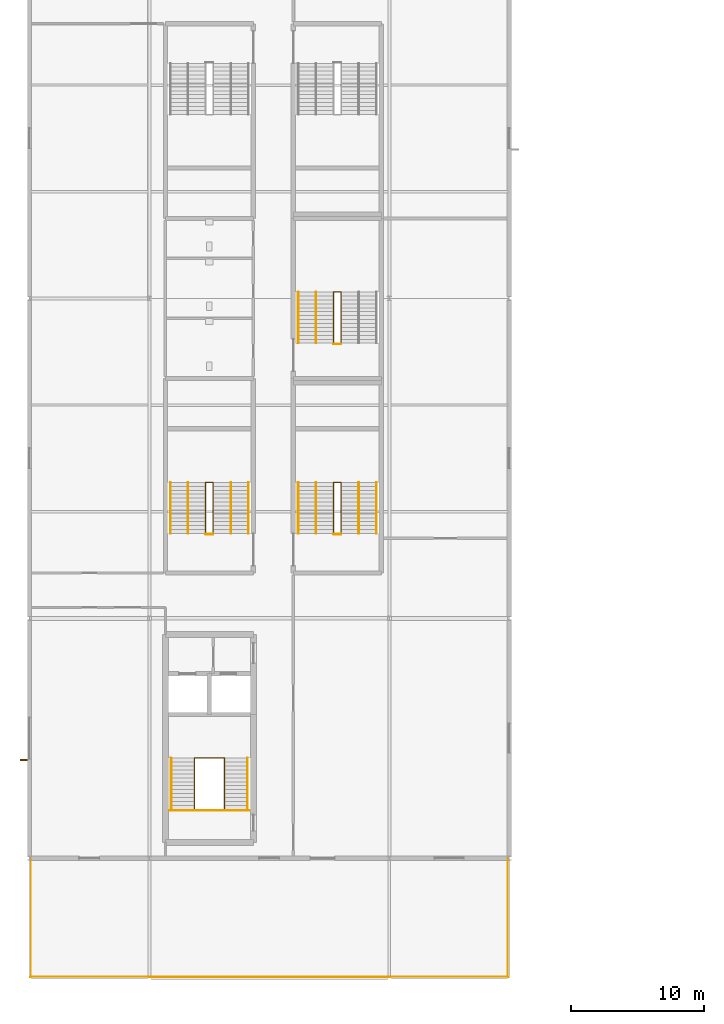
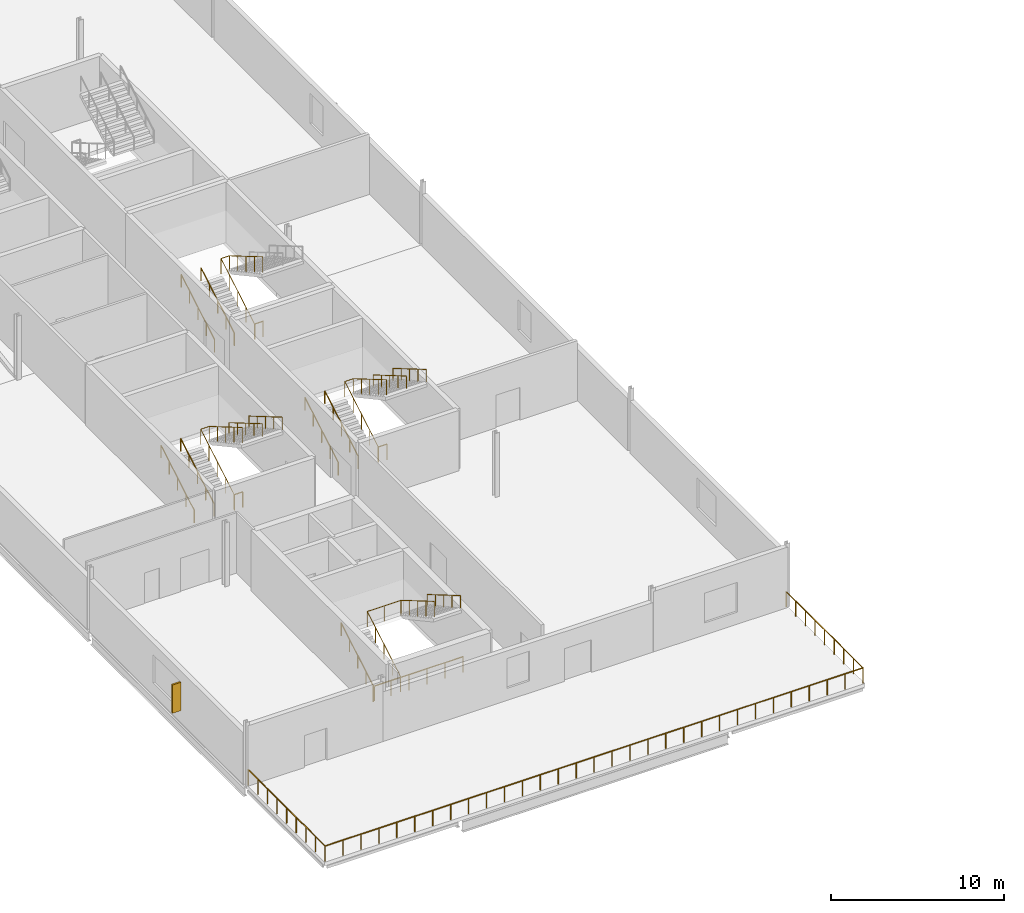
# One storey, part 23 of 28: 21 railings, 1 shading device.
"""IFC4 building model written with IfcOpenShell, lengths in metres."""

from ifc_helpers import new_model, si_unit, direction, frame, origin, origin_2d, place, context, subcontext, project, spatial, rectangle, circle, extrude, material, type_object, element, save


model = new_model("IFC4")

# Units and contexts
model_context = context("Model", 3, precision=1e-05, world=origin(), true_north=direction((0.0, 1.0)))
body_context = subcontext(model_context, "Body", "Model", "MODEL_VIEW")
ifc_project = project(units=[si_unit("LENGTHUNIT", "METRE"), si_unit("AREAUNIT", "SQUARE_METRE"), si_unit("VOLUMEUNIT", "CUBIC_METRE"), si_unit("PLANEANGLEUNIT", "RADIAN"), si_unit("MASSUNIT", "GRAM", prefix="KILO")], contexts=[model_context])

# Site, building, storey
site_placement = place(None, origin())
site = spatial("IfcSite", under=ifc_project, at=site_placement, CompositionType="ELEMENT")
building_placement = place(site_placement, origin())
building = spatial("IfcBuilding", under=site, at=building_placement, Name="Kisiwana Market Hall", CompositionType="ELEMENT")
storey_placement = place(building_placement, frame((0.0, 0.0, 49.5)))
storey = spatial("IfcBuildingStorey", under=building, at=storey_placement, Name="L11", CompositionType="ELEMENT", Elevation=49.5)

# Railings
ifc_material_1 = material(Name="Steel S275", Category="steel")
railing_type_1 = type_object("IfcRailingType", Name="RL-BALUST-1100", PredefinedType="BALUSTRADE", material=ifc_material_1)
railing_1_placement = place(storey_placement, frame((0.080078125, 17.949951171875, 0.0)))
element("IfcRailing", 1, at=railing_1_placement, inside=storey, type_object=railing_type_1, Name="L11 SW Sky Garden Guardrail 1100 RL-1702", PredefinedType="BALUSTRADE", context=body_context, shape_type="SweptSolid", body=[
    extrude(circle(Radius=0.02392578125, at=origin_2d()), frame((0.0, 0.0, 1.076171875), z_axis=(0.0, -1.0, 0.0), x_axis=(1.0, 0.0, 0.0)), (0.0, 0.0, 1.0), 8.869873046875),
    extrude(circle(Radius=0.02392578125, at=origin_2d()), frame((0.0, -8.869873046875, 1.076171875), z_axis=(1.0, 0.0, 0.0), x_axis=(0.0, 1.0, 0.0)), (0.0, 0.0, 1.0), 35.83984375),
    extrude(circle(Radius=0.02392578125, at=origin_2d()), frame((35.83984375, -8.869873046875, 1.076171875), z_axis=(0.0, 1.0, 0.0), x_axis=(-1.0, 0.0, 0.0)), (0.0, 0.0, 1.0), 8.869873046875),
    extrude(circle(Radius=0.02099609375, at=origin_2d()), origin(), (0.0, 0.0, 1.0), 1.052001953125),
    extrude(circle(Radius=0.02099609375, at=origin_2d()), frame((0.0, -1.108642578125, 0.0)), (0.0, 0.0, 1.0), 1.052001953125),
    extrude(circle(Radius=0.02099609375, at=origin_2d()), frame((0.0, -2.217529296875, 0.0)), (0.0, 0.0, 1.0), 1.052001953125),
    extrude(circle(Radius=0.02099609375, at=origin_2d()), frame((0.0, -3.326171875, 0.0)), (0.0, 0.0, 1.0), 1.052001953125),
    extrude(circle(Radius=0.02099609375, at=origin_2d()), frame((0.0, -4.43505859375, 0.0)), (0.0, 0.0, 1.0), 1.052001953125),
    extrude(circle(Radius=0.02099609375, at=origin_2d()), frame((0.0, -5.543701171875, 0.0)), (0.0, 0.0, 1.0), 1.052001953125),
    extrude(circle(Radius=0.02099609375, at=origin_2d()), frame((0.0, -6.65234375, 0.0)), (0.0, 0.0, 1.0), 1.052001953125),
    extrude(circle(Radius=0.02099609375, at=origin_2d()), frame((0.0, -7.76123046875, 0.0)), (0.0, 0.0, 1.0), 1.052001953125),
    extrude(circle(Radius=0.02099609375, at=origin_2d()), frame((0.0, -8.869873046875, 0.0)), (0.0, 0.0, 1.0), 1.052001953125),
    extrude(circle(Radius=0.02099609375, at=origin_2d()), frame((1.194580078125, -8.869873046875, 0.0)), (0.0, 0.0, 1.0), 1.052001953125),
    extrude(circle(Radius=0.02099609375, at=origin_2d()), frame((2.389404296875, -8.869873046875, 0.0)), (0.0, 0.0, 1.0), 1.052001953125),
    extrude(circle(Radius=0.02099609375, at=origin_2d()), frame((3.583984375, -8.869873046875, 0.0)), (0.0, 0.0, 1.0), 1.052001953125),
    extrude(circle(Radius=0.02099609375, at=origin_2d()), frame((4.778564453125, -8.869873046875, 0.0)), (0.0, 0.0, 1.0), 1.052001953125),
    extrude(circle(Radius=0.02099609375, at=origin_2d()), frame((5.973388671875, -8.869873046875, 0.0)), (0.0, 0.0, 1.0), 1.052001953125),
    extrude(circle(Radius=0.02099609375, at=origin_2d()), frame((7.16796875, -8.869873046875, 0.0)), (0.0, 0.0, 1.0), 1.052001953125),
    extrude(circle(Radius=0.02099609375, at=origin_2d()), frame((8.362548828125, -8.869873046875, 0.0)), (0.0, 0.0, 1.0), 1.052001953125),
    extrude(circle(Radius=0.02099609375, at=origin_2d()), frame((9.557373046875, -8.869873046875, 0.0)), (0.0, 0.0, 1.0), 1.052001953125),
    extrude(circle(Radius=0.02099609375, at=origin_2d()), frame((10.751953125, -8.869873046875, 0.0)), (0.0, 0.0, 1.0), 1.052001953125),
    extrude(circle(Radius=0.02099609375, at=origin_2d()), frame((11.946533203125, -8.869873046875, 0.0)), (0.0, 0.0, 1.0), 1.052001953125),
    extrude(circle(Radius=0.02099609375, at=origin_2d()), frame((13.141357421875, -8.869873046875, 0.0)), (0.0, 0.0, 1.0), 1.052001953125),
    extrude(circle(Radius=0.02099609375, at=origin_2d()), frame((14.3359375, -8.869873046875, 0.0)), (0.0, 0.0, 1.0), 1.052001953125),
    extrude(circle(Radius=0.02099609375, at=origin_2d()), frame((15.530517578125, -8.869873046875, 0.0)), (0.0, 0.0, 1.0), 1.052001953125),
    extrude(circle(Radius=0.02099609375, at=origin_2d()), frame((16.725341796875, -8.869873046875, 0.0)), (0.0, 0.0, 1.0), 1.052001953125),
    extrude(circle(Radius=0.02099609375, at=origin_2d()), frame((17.919921875, -8.869873046875, 0.0)), (0.0, 0.0, 1.0), 1.052001953125),
    extrude(circle(Radius=0.02099609375, at=origin_2d()), frame((19.114501953125, -8.869873046875, 0.0)), (0.0, 0.0, 1.0), 1.052001953125),
    extrude(circle(Radius=0.02099609375, at=origin_2d()), frame((20.309326171875, -8.869873046875, 0.0)), (0.0, 0.0, 1.0), 1.052001953125),
    extrude(circle(Radius=0.02099609375, at=origin_2d()), frame((21.50390625, -8.869873046875, 0.0)), (0.0, 0.0, 1.0), 1.052001953125),
    extrude(circle(Radius=0.02099609375, at=origin_2d()), frame((22.698486328125, -8.869873046875, 0.0)), (0.0, 0.0, 1.0), 1.052001953125),
    extrude(circle(Radius=0.02099609375, at=origin_2d()), frame((23.893310546875, -8.869873046875, 0.0)), (0.0, 0.0, 1.0), 1.052001953125),
    extrude(circle(Radius=0.02099609375, at=origin_2d()), frame((25.087890625, -8.869873046875, 0.0)), (0.0, 0.0, 1.0), 1.052001953125),
    extrude(circle(Radius=0.02099609375, at=origin_2d()), frame((26.282470703125, -8.869873046875, 0.0)), (0.0, 0.0, 1.0), 1.052001953125),
    extrude(circle(Radius=0.02099609375, at=origin_2d()), frame((27.477294921875, -8.869873046875, 0.0)), (0.0, 0.0, 1.0), 1.052001953125),
    extrude(circle(Radius=0.02099609375, at=origin_2d()), frame((28.671875, -8.869873046875, 0.0)), (0.0, 0.0, 1.0), 1.052001953125),
    extrude(circle(Radius=0.02099609375, at=origin_2d()), frame((29.866455078125, -8.869873046875, 0.0)), (0.0, 0.0, 1.0), 1.052001953125),
    extrude(circle(Radius=0.02099609375, at=origin_2d()), frame((31.061279296875, -8.869873046875, 0.0)), (0.0, 0.0, 1.0), 1.052001953125),
    extrude(circle(Radius=0.02099609375, at=origin_2d()), frame((32.255859375, -8.869873046875, 0.0)), (0.0, 0.0, 1.0), 1.052001953125),
    extrude(circle(Radius=0.02099609375, at=origin_2d()), frame((33.450439453125, -8.869873046875, 0.0)), (0.0, 0.0, 1.0), 1.052001953125),
    extrude(circle(Radius=0.02099609375, at=origin_2d()), frame((34.645263671875, -8.869873046875, 0.0)), (0.0, 0.0, 1.0), 1.052001953125),
    extrude(circle(Radius=0.02099609375, at=origin_2d()), frame((35.83984375, -8.869873046875, 0.0)), (0.0, 0.0, 1.0), 1.052001953125),
    extrude(circle(Radius=0.02099609375, at=origin_2d()), frame((35.83984375, -7.76123046875, 0.0)), (0.0, 0.0, 1.0), 1.052001953125),
    extrude(circle(Radius=0.02099609375, at=origin_2d()), frame((35.83984375, -6.65234375, 0.0)), (0.0, 0.0, 1.0), 1.052001953125),
    extrude(circle(Radius=0.02099609375, at=origin_2d()), frame((35.83984375, -5.543701171875, 0.0)), (0.0, 0.0, 1.0), 1.052001953125),
    extrude(circle(Radius=0.02099609375, at=origin_2d()), frame((35.83984375, -4.43505859375, 0.0)), (0.0, 0.0, 1.0), 1.052001953125),
    extrude(circle(Radius=0.02099609375, at=origin_2d()), frame((35.83984375, -3.326171875, 0.0)), (0.0, 0.0, 1.0), 1.052001953125),
    extrude(circle(Radius=0.02099609375, at=origin_2d()), frame((35.83984375, -2.217529296875, 0.0)), (0.0, 0.0, 1.0), 1.052001953125),
    extrude(circle(Radius=0.02099609375, at=origin_2d()), frame((35.83984375, -1.108642578125, 0.0)), (0.0, 0.0, 1.0), 1.052001953125),
    extrude(circle(Radius=0.02099609375, at=origin_2d()), frame((35.83984375, 0.0, 0.0)), (0.0, 0.0, 1.0), 1.052001953125),
])
ifc_material_2 = material(Name="Steel S275", Category="steel")
railing_type_2 = type_object("IfcRailingType", Name="RL-GUARD-1100", PredefinedType="GUARDRAIL", material=ifc_material_2)
railing_2_placement = place(storey_placement, frame((12.375, 21.674560546875, 0.0)))
element("IfcRailing", 2, at=railing_2_placement, inside=storey, type_object=railing_type_2, Name="Stair ST-W2-L11 inner-well guardrail (RL-1359)", PredefinedType="GUARDRAIL", context=body_context, shape_type="SweptSolid", body=[
    extrude(circle(Radius=0.02392578125, at=origin_2d()), frame((0.0, 0.0, 1.076171875), z_axis=(0.0, 0.86250956776, 0.506040754805), x_axis=(-1.0, 0.0, 0.0)), (0.0, 0.0, 1.0), 4.4462890625),
    extrude(circle(Radius=0.02392578125, at=origin_2d()), frame((0.0, 3.8349609375, 3.326171875), z_axis=(1.0, 0.0, 0.0), x_axis=(0.0, 1.0, 0.0)), (0.0, 0.0, 1.0), 2.25),
    extrude(circle(Radius=0.02392578125, at=origin_2d()), frame((2.25, 3.8349609375, 3.326171875), z_axis=(0.0, -0.86250956776, 0.506040754805), x_axis=(1.0, 0.0, 0.0)), (0.0, 0.0, 1.0), 4.4462890625),
    extrude(circle(Radius=0.02099609375, at=origin_2d()), origin(), (0.0, 0.0, 1.0), 1.052001953125),
    extrude(circle(Radius=0.02099609375, at=origin_2d()), frame((0.0, 0.958740234375, 0.5625)), (0.0, 0.0, 1.0), 1.052001953125),
    extrude(circle(Radius=0.02099609375, at=origin_2d()), frame((0.0, 1.91748046875, 1.125)), (0.0, 0.0, 1.0), 1.052001953125),
    extrude(circle(Radius=0.02099609375, at=origin_2d()), frame((0.0, 2.876220703125, 1.6875)), (0.0, 0.0, 1.0), 1.052001953125),
    extrude(circle(Radius=0.02099609375, at=origin_2d()), frame((0.0, 3.8349609375, 2.25)), (0.0, 0.0, 1.0), 1.052001953125),
    extrude(circle(Radius=0.02099609375, at=origin_2d()), frame((1.125, 3.8349609375, 2.25)), (0.0, 0.0, 1.0), 1.052001953125),
    extrude(circle(Radius=0.02099609375, at=origin_2d()), frame((2.25, 3.8349609375, 2.25)), (0.0, 0.0, 1.0), 1.052001953125),
    extrude(circle(Radius=0.02099609375, at=origin_2d()), frame((2.25, 2.876220703125, 2.8125)), (0.0, 0.0, 1.0), 1.052001953125),
    extrude(circle(Radius=0.02099609375, at=origin_2d()), frame((2.25, 1.91748046875, 3.375)), (0.0, 0.0, 1.0), 1.052001953125),
    extrude(circle(Radius=0.02099609375, at=origin_2d()), frame((2.25, 0.958740234375, 3.9375)), (0.0, 0.0, 1.0), 1.052001953125),
    extrude(circle(Radius=0.02099609375, at=origin_2d()), frame((2.25, 0.0, 4.5)), (0.0, 0.0, 1.0), 1.052001953125),
])
railing_3_placement = place(storey_placement, frame((10.5048828125, 21.594482421875, 0.0)))
element("IfcRailing", 3, at=railing_3_placement, inside=storey, type_object=railing_type_2, Name="Stair ST-W2-L11 landing edge guardrail (RL-1362)", PredefinedType="GUARDRAIL", context=body_context, shape_type="SweptSolid", body=[
    extrude(circle(Radius=0.02392578125, at=origin_2d()), frame((0.0, 0.0, 1.076171875), z_axis=(1.0, 0.0, 0.0), x_axis=(0.0, 1.0, 0.0)), (0.0, 0.0, 1.0), 5.990234375),
    extrude(circle(Radius=0.02099609375, at=origin_2d()), origin(), (0.0, 0.0, 1.0), 1.052001953125),
    extrude(circle(Radius=0.02099609375, at=origin_2d()), frame((1.197998046875, 0.0, 0.0)), (0.0, 0.0, 1.0), 1.052001953125),
    extrude(circle(Radius=0.02099609375, at=origin_2d()), frame((2.39599609375, 0.0, 0.0)), (0.0, 0.0, 1.0), 1.052001953125),
    extrude(circle(Radius=0.02099609375, at=origin_2d()), frame((3.59423828125, 0.0, 0.0)), (0.0, 0.0, 1.0), 1.052001953125),
    extrude(circle(Radius=0.02099609375, at=origin_2d()), frame((4.792236328125, 0.0, 0.0)), (0.0, 0.0, 1.0), 1.052001953125),
    extrude(circle(Radius=0.02099609375, at=origin_2d()), frame((5.990234375, 0.0, 0.0)), (0.0, 0.0, 1.0), 1.052001953125),
])
railing_4_placement = place(storey_placement, frame((13.219970703125, 42.360107421875, 0.0)))
element("IfcRailing", 4, at=railing_4_placement, inside=storey, type_object=railing_type_2, Name="Stair ST-W3-L11 inner-well guardrail (RL-1375)", PredefinedType="GUARDRAIL", context=body_context, shape_type="SweptSolid", body=[
    extrude(circle(Radius=0.02392578125, at=origin_2d()), frame((0.0, 0.0, 1.076171875), z_axis=(0.0, 0.86250956776, 0.506040754805), x_axis=(-1.0, 0.0, 0.0)), (0.0, 0.0, 1.0), 4.4462890625),
    extrude(circle(Radius=0.02392578125, at=origin_2d()), frame((0.0, 3.8349609375, 3.326171875), z_axis=(1.0, 0.0, 0.0), x_axis=(0.0, 1.0, 0.0)), (0.0, 0.0, 1.0), 0.56005859375),
    extrude(circle(Radius=0.02392578125, at=origin_2d()), frame((0.56005859375, 3.8349609375, 3.326171875), z_axis=(0.0, -0.86250956776, 0.506040754805), x_axis=(1.0, 0.0, 0.0)), (0.0, 0.0, 1.0), 4.4462890625),
    extrude(circle(Radius=0.02099609375, at=origin_2d()), origin(), (0.0, 0.0, 1.0), 1.052001953125),
    extrude(circle(Radius=0.02099609375, at=origin_2d()), frame((0.0, 0.958740234375, 0.5625)), (0.0, 0.0, 1.0), 1.052001953125),
    extrude(circle(Radius=0.02099609375, at=origin_2d()), frame((0.0, 1.91748046875, 1.125)), (0.0, 0.0, 1.0), 1.052001953125),
    extrude(circle(Radius=0.02099609375, at=origin_2d()), frame((0.0, 2.876220703125, 1.6875)), (0.0, 0.0, 1.0), 1.052001953125),
    extrude(circle(Radius=0.02099609375, at=origin_2d()), frame((0.0, 3.8349609375, 2.25)), (0.0, 0.0, 1.0), 1.052001953125),
    extrude(circle(Radius=0.02099609375, at=origin_2d()), frame((0.56005859375, 3.8349609375, 2.25)), (0.0, 0.0, 1.0), 1.052001953125),
    extrude(circle(Radius=0.02099609375, at=origin_2d()), frame((0.56005859375, 2.876220703125, 2.8125)), (0.0, 0.0, 1.0), 1.052001953125),
    extrude(circle(Radius=0.02099609375, at=origin_2d()), frame((0.56005859375, 1.91748046875, 3.375)), (0.0, 0.0, 1.0), 1.052001953125),
    extrude(circle(Radius=0.02099609375, at=origin_2d()), frame((0.56005859375, 0.958740234375, 3.9375)), (0.0, 0.0, 1.0), 1.052001953125),
    extrude(circle(Radius=0.02099609375, at=origin_2d()), frame((0.56005859375, 0.0, 4.5)), (0.0, 0.0, 1.0), 1.052001953125),
])
railing_5_placement = place(storey_placement, frame((13.219970703125, 42.31005859375, 0.0)))
element("IfcRailing", 5, at=railing_5_placement, inside=storey, type_object=railing_type_2, Name="Stair ST-W3-L11 landing edge guardrail (RL-1380)", PredefinedType="GUARDRAIL", context=body_context, shape_type="SweptSolid", body=[
    extrude(circle(Radius=0.02392578125, at=origin_2d()), frame((0.0, 0.0, 1.076171875), z_axis=(1.0, 0.0, 0.0), x_axis=(0.0, 1.0, 0.0)), (0.0, 0.0, 1.0), 0.56005859375),
    extrude(circle(Radius=0.02099609375, at=origin_2d()), origin(), (0.0, 0.0, 1.0), 1.052001953125),
    extrude(circle(Radius=0.02099609375, at=origin_2d()), frame((0.56005859375, 0.0, 0.0)), (0.0, 0.0, 1.0), 1.052001953125),
])
railing_6_placement = place(storey_placement, frame((22.820068359375, 42.360107421875, 0.0)))
element("IfcRailing", 6, at=railing_6_placement, inside=storey, type_object=railing_type_2, Name="Stair ST-W7-L11 inner-well guardrail (RL-1399)", PredefinedType="GUARDRAIL", context=body_context, shape_type="SweptSolid", body=[
    extrude(circle(Radius=0.02392578125, at=origin_2d()), frame((0.0, 0.0, 1.076171875), z_axis=(0.0, 0.86250956776, 0.506040754805), x_axis=(-1.0, 0.0, 0.0)), (0.0, 0.0, 1.0), 4.4462890625),
    extrude(circle(Radius=0.02392578125, at=origin_2d()), frame((0.0, 3.8349609375, 3.326171875), z_axis=(1.0, 0.0, 0.0), x_axis=(0.0, 1.0, 0.0)), (0.0, 0.0, 1.0), 0.559814453125),
    extrude(circle(Radius=0.02392578125, at=origin_2d()), frame((0.559814453125, 3.8349609375, 3.326171875), z_axis=(0.0, -0.86250956776, 0.506040754805), x_axis=(1.0, 0.0, 0.0)), (0.0, 0.0, 1.0), 4.4462890625),
    extrude(circle(Radius=0.02099609375, at=origin_2d()), origin(), (0.0, 0.0, 1.0), 1.052001953125),
    extrude(circle(Radius=0.02099609375, at=origin_2d()), frame((0.0, 0.958740234375, 0.5625)), (0.0, 0.0, 1.0), 1.052001953125),
    extrude(circle(Radius=0.02099609375, at=origin_2d()), frame((0.0, 1.91748046875, 1.125)), (0.0, 0.0, 1.0), 1.052001953125),
    extrude(circle(Radius=0.02099609375, at=origin_2d()), frame((0.0, 2.876220703125, 1.6875)), (0.0, 0.0, 1.0), 1.052001953125),
    extrude(circle(Radius=0.02099609375, at=origin_2d()), frame((0.0, 3.8349609375, 2.25)), (0.0, 0.0, 1.0), 1.052001953125),
    extrude(circle(Radius=0.02099609375, at=origin_2d()), frame((0.559814453125, 3.8349609375, 2.25)), (0.0, 0.0, 1.0), 1.052001953125),
    extrude(circle(Radius=0.02099609375, at=origin_2d()), frame((0.559814453125, 2.876220703125, 2.8125)), (0.0, 0.0, 1.0), 1.052001953125),
    extrude(circle(Radius=0.02099609375, at=origin_2d()), frame((0.559814453125, 1.91748046875, 3.375)), (0.0, 0.0, 1.0), 1.052001953125),
    extrude(circle(Radius=0.02099609375, at=origin_2d()), frame((0.559814453125, 0.958740234375, 3.9375)), (0.0, 0.0, 1.0), 1.052001953125),
    extrude(circle(Radius=0.02099609375, at=origin_2d()), frame((0.559814453125, 0.0, 4.5)), (0.0, 0.0, 1.0), 1.052001953125),
])
railing_7_placement = place(storey_placement, frame((22.820068359375, 42.31005859375, 0.0)))
element("IfcRailing", 7, at=railing_7_placement, inside=storey, type_object=railing_type_2, Name="Stair ST-W7-L11 landing edge guardrail (RL-1404)", PredefinedType="GUARDRAIL", context=body_context, shape_type="SweptSolid", body=[
    extrude(circle(Radius=0.02392578125, at=origin_2d()), frame((0.0, 0.0, 1.076171875), z_axis=(1.0, 0.0, 0.0), x_axis=(0.0, 1.0, 0.0)), (0.0, 0.0, 1.0), 0.559814453125),
    extrude(circle(Radius=0.02099609375, at=origin_2d()), origin(), (0.0, 0.0, 1.0), 1.052001953125),
    extrude(circle(Radius=0.02099609375, at=origin_2d()), frame((0.559814453125, 0.0, 0.0)), (0.0, 0.0, 1.0), 1.052001953125),
])
railing_8_placement = place(storey_placement, frame((22.820068359375, 56.639892578125, 0.0)))
element("IfcRailing", 8, at=railing_8_placement, inside=storey, type_object=railing_type_2, Name="Stair ST-W5-L11 inner-well guardrail (RL-1423)", PredefinedType="GUARDRAIL", context=body_context, shape_type="SweptSolid", body=[
    extrude(circle(Radius=0.02392578125, at=origin_2d()), frame((0.0, 0.0, 1.076171875), z_axis=(0.0, 0.86252362769, 0.506016789916), x_axis=(-1.0, 0.0, 0.0)), (0.0, 0.0, 1.0), 4.446533203125),
    extrude(circle(Radius=0.02392578125, at=origin_2d()), frame((0.0, 3.835205078125, 3.326171875), z_axis=(1.0, 0.0, 0.0), x_axis=(0.0, 1.0, 0.0)), (0.0, 0.0, 1.0), 0.559814453125),
    extrude(circle(Radius=0.02392578125, at=origin_2d()), frame((0.559814453125, 3.835205078125, 3.326171875), z_axis=(0.0, -0.86252362769, 0.506016789916), x_axis=(1.0, 0.0, 0.0)), (0.0, 0.0, 1.0), 4.446533203125),
    extrude(circle(Radius=0.02099609375, at=origin_2d()), origin(), (0.0, 0.0, 1.0), 1.052001953125),
    extrude(circle(Radius=0.02099609375, at=origin_2d()), frame((0.0, 0.958740234375, 0.5625)), (0.0, 0.0, 1.0), 1.052001953125),
    extrude(circle(Radius=0.02099609375, at=origin_2d()), frame((0.0, 1.91748046875, 1.125)), (0.0, 0.0, 1.0), 1.052001953125),
    extrude(circle(Radius=0.02099609375, at=origin_2d()), frame((0.0, 2.87646484375, 1.6875)), (0.0, 0.0, 1.0), 1.052001953125),
    extrude(circle(Radius=0.02099609375, at=origin_2d()), frame((0.0, 3.835205078125, 2.25)), (0.0, 0.0, 1.0), 1.052001953125),
    extrude(circle(Radius=0.02099609375, at=origin_2d()), frame((0.559814453125, 3.835205078125, 2.25)), (0.0, 0.0, 1.0), 1.052001953125),
    extrude(circle(Radius=0.02099609375, at=origin_2d()), frame((0.559814453125, 2.87646484375, 2.8125)), (0.0, 0.0, 1.0), 1.052001953125),
    extrude(circle(Radius=0.02099609375, at=origin_2d()), frame((0.559814453125, 1.91748046875, 3.375)), (0.0, 0.0, 1.0), 1.052001953125),
    extrude(circle(Radius=0.02099609375, at=origin_2d()), frame((0.559814453125, 0.958740234375, 3.9375)), (0.0, 0.0, 1.0), 1.052001953125),
    extrude(circle(Radius=0.02099609375, at=origin_2d()), frame((0.559814453125, 0.0, 4.5)), (0.0, 0.0, 1.0), 1.052001953125),
])
railing_9_placement = place(storey_placement, frame((22.820068359375, 56.590087890625, 0.0)))
element("IfcRailing", 9, at=railing_9_placement, inside=storey, type_object=railing_type_2, Name="Stair ST-W5-L11 landing edge guardrail (RL-1428)", PredefinedType="GUARDRAIL", context=body_context, shape_type="SweptSolid", body=[
    extrude(circle(Radius=0.02392578125, at=origin_2d()), frame((0.0, 0.0, 1.076171875), z_axis=(1.0, 0.0, 0.0), x_axis=(0.0, 1.0, 0.0)), (0.0, 0.0, 1.0), 0.559814453125),
    extrude(circle(Radius=0.02099609375, at=origin_2d()), origin(), (0.0, 0.0, 1.0), 1.052001953125),
    extrude(circle(Radius=0.02099609375, at=origin_2d()), frame((0.559814453125, 0.0, 0.0)), (0.0, 0.0, 1.0), 1.052001953125),
])
ifc_material_3 = material(Name="Steel S275", Category="steel")
railing_type_3 = type_object("IfcRailingType", Name="RL-HAND-900", PredefinedType="HANDRAIL", material=ifc_material_3)
railing_10_placement = place(storey_placement, frame((10.635009765625, 21.674560546875, 0.0)))
element("IfcRailing", 10, at=railing_10_placement, inside=storey, type_object=railing_type_3, Name="Stair ST-W2-L11 flight 1 handrail (RL-1360)", PredefinedType="HANDRAIL", context=body_context, shape_type="SweptSolid", body=[
    extrude(circle(Radius=0.02392578125, at=origin_2d()), frame((0.0, 0.0, 0.8759765625), z_axis=(0.0, 0.86250956776, 0.506040754805), x_axis=(-1.0, 0.0, 0.0)), (0.0, 0.0, 1.0), 4.4462890625),
    extrude(circle(Radius=0.02099609375, at=origin_2d()), origin(), (0.0, 0.0, 1.0), 0.851806640625),
    extrude(circle(Radius=0.02099609375, at=origin_2d()), frame((0.0, 0.958740234375, 0.5625)), (0.0, 0.0, 1.0), 0.851806640625),
    extrude(circle(Radius=0.02099609375, at=origin_2d()), frame((0.0, 1.91748046875, 1.125)), (0.0, 0.0, 1.0), 0.851806640625),
    extrude(circle(Radius=0.02099609375, at=origin_2d()), frame((0.0, 2.876220703125, 1.6875)), (0.0, 0.0, 1.0), 0.851806640625),
    extrude(circle(Radius=0.02099609375, at=origin_2d()), frame((0.0, 3.8349609375, 2.25)), (0.0, 0.0, 1.0), 0.851806640625),
])
railing_11_placement = place(storey_placement, frame((16.364990234375, 25.509521484375, 2.25)))
element("IfcRailing", 11, at=railing_11_placement, inside=storey, type_object=railing_type_3, Name="Stair ST-W2-L11 flight 2 handrail (RL-1361)", PredefinedType="HANDRAIL", context=body_context, shape_type="SweptSolid", body=[
    extrude(circle(Radius=0.02392578125, at=origin_2d()), frame((0.0, 0.0, 0.8759765625), z_axis=(0.0, -0.86250956776, 0.506040754805), x_axis=(1.0, 0.0, 0.0)), (0.0, 0.0, 1.0), 4.4462890625),
    extrude(circle(Radius=0.02099609375, at=origin_2d()), origin(), (0.0, 0.0, 1.0), 0.851806640625),
    extrude(circle(Radius=0.02099609375, at=origin_2d()), frame((0.0, -0.958740234375, 0.5625)), (0.0, 0.0, 1.0), 0.851806640625),
    extrude(circle(Radius=0.02099609375, at=origin_2d()), frame((0.0, -1.91748046875, 1.125)), (0.0, 0.0, 1.0), 0.851806640625),
    extrude(circle(Radius=0.02099609375, at=origin_2d()), frame((0.0, -2.876220703125, 1.6875)), (0.0, 0.0, 1.0), 0.851806640625),
    extrude(circle(Radius=0.02099609375, at=origin_2d()), frame((0.0, -3.8349609375, 2.25)), (0.0, 0.0, 1.0), 0.851806640625),
])
railing_12_placement = place(storey_placement, frame((10.570068359375, 42.360107421875, 0.0)))
element("IfcRailing", 12, at=railing_12_placement, inside=storey, type_object=railing_type_3, Name="Stair ST-W3-L11 flight 1 handrail (RL-1376)", PredefinedType="HANDRAIL", context=body_context, shape_type="SweptSolid", body=[
    extrude(circle(Radius=0.02392578125, at=origin_2d()), frame((0.0, 0.0, 0.8759765625), z_axis=(0.0, 0.86250956776, 0.506040754805), x_axis=(-1.0, 0.0, 0.0)), (0.0, 0.0, 1.0), 4.4462890625),
    extrude(circle(Radius=0.02099609375, at=origin_2d()), origin(), (0.0, 0.0, 1.0), 0.851806640625),
    extrude(circle(Radius=0.02099609375, at=origin_2d()), frame((0.0, 0.958740234375, 0.5625)), (0.0, 0.0, 1.0), 0.851806640625),
    extrude(circle(Radius=0.02099609375, at=origin_2d()), frame((0.0, 1.91748046875, 1.125)), (0.0, 0.0, 1.0), 0.851806640625),
    extrude(circle(Radius=0.02099609375, at=origin_2d()), frame((0.0, 2.876220703125, 1.6875)), (0.0, 0.0, 1.0), 0.851806640625),
    extrude(circle(Radius=0.02099609375, at=origin_2d()), frame((0.0, 3.8349609375, 2.25)), (0.0, 0.0, 1.0), 0.851806640625),
])
railing_13_placement = place(storey_placement, frame((16.429931640625, 46.195068359375, 2.25)))
element("IfcRailing", 13, at=railing_13_placement, inside=storey, type_object=railing_type_3, Name="Stair ST-W3-L11 flight 2 handrail (RL-1377)", PredefinedType="HANDRAIL", context=body_context, shape_type="SweptSolid", body=[
    extrude(circle(Radius=0.02392578125, at=origin_2d()), frame((0.0, 0.0, 0.8759765625), z_axis=(0.0, -0.86250956776, 0.506040754805), x_axis=(1.0, 0.0, 0.0)), (0.0, 0.0, 1.0), 4.4462890625),
    extrude(circle(Radius=0.02099609375, at=origin_2d()), origin(), (0.0, 0.0, 1.0), 0.851806640625),
    extrude(circle(Radius=0.02099609375, at=origin_2d()), frame((0.0, -0.958740234375, 0.5625)), (0.0, 0.0, 1.0), 0.851806640625),
    extrude(circle(Radius=0.02099609375, at=origin_2d()), frame((0.0, -1.91748046875, 1.125)), (0.0, 0.0, 1.0), 0.851806640625),
    extrude(circle(Radius=0.02099609375, at=origin_2d()), frame((0.0, -2.876220703125, 1.6875)), (0.0, 0.0, 1.0), 0.851806640625),
    extrude(circle(Radius=0.02099609375, at=origin_2d()), frame((0.0, -3.8349609375, 2.25)), (0.0, 0.0, 1.0), 0.851806640625),
])
railing_14_placement = place(storey_placement, frame((11.889892578125, 42.360107421875, 0.0)))
element("IfcRailing", 14, at=railing_14_placement, inside=storey, type_object=railing_type_3, Name="Stair ST-W3-L11 flight 1 intermediate handrail (RL-1378)", PredefinedType="HANDRAIL", context=body_context, shape_type="SweptSolid", body=[
    extrude(circle(Radius=0.02392578125, at=origin_2d()), frame((0.0, 0.0, 0.8759765625), z_axis=(0.0, 0.86250956776, 0.506040754805), x_axis=(-1.0, 0.0, 0.0)), (0.0, 0.0, 1.0), 4.4462890625),
    extrude(circle(Radius=0.02099609375, at=origin_2d()), origin(), (0.0, 0.0, 1.0), 0.851806640625),
    extrude(circle(Radius=0.02099609375, at=origin_2d()), frame((0.0, 0.958740234375, 0.5625)), (0.0, 0.0, 1.0), 0.851806640625),
    extrude(circle(Radius=0.02099609375, at=origin_2d()), frame((0.0, 1.91748046875, 1.125)), (0.0, 0.0, 1.0), 0.851806640625),
    extrude(circle(Radius=0.02099609375, at=origin_2d()), frame((0.0, 2.876220703125, 1.6875)), (0.0, 0.0, 1.0), 0.851806640625),
    extrude(circle(Radius=0.02099609375, at=origin_2d()), frame((0.0, 3.8349609375, 2.25)), (0.0, 0.0, 1.0), 0.851806640625),
])
railing_15_placement = place(storey_placement, frame((15.110107421875, 46.195068359375, 2.25)))
element("IfcRailing", 15, at=railing_15_placement, inside=storey, type_object=railing_type_3, Name="Stair ST-W3-L11 flight 2 intermediate handrail (RL-1379)", PredefinedType="HANDRAIL", context=body_context, shape_type="SweptSolid", body=[
    extrude(circle(Radius=0.02392578125, at=origin_2d()), frame((0.0, 0.0, 0.8759765625), z_axis=(0.0, -0.86250956776, 0.506040754805), x_axis=(1.0, 0.0, 0.0)), (0.0, 0.0, 1.0), 4.4462890625),
    extrude(circle(Radius=0.02099609375, at=origin_2d()), origin(), (0.0, 0.0, 1.0), 0.851806640625),
    extrude(circle(Radius=0.02099609375, at=origin_2d()), frame((0.0, -0.958740234375, 0.5625)), (0.0, 0.0, 1.0), 0.851806640625),
    extrude(circle(Radius=0.02099609375, at=origin_2d()), frame((0.0, -1.91748046875, 1.125)), (0.0, 0.0, 1.0), 0.851806640625),
    extrude(circle(Radius=0.02099609375, at=origin_2d()), frame((0.0, -2.876220703125, 1.6875)), (0.0, 0.0, 1.0), 0.851806640625),
    extrude(circle(Radius=0.02099609375, at=origin_2d()), frame((0.0, -3.8349609375, 2.25)), (0.0, 0.0, 1.0), 0.851806640625),
])
railing_16_placement = place(storey_placement, frame((20.169921875, 42.360107421875, 0.0)))
element("IfcRailing", 16, at=railing_16_placement, inside=storey, type_object=railing_type_3, Name="Stair ST-W7-L11 flight 1 handrail (RL-1400)", PredefinedType="HANDRAIL", context=body_context, shape_type="SweptSolid", body=[
    extrude(circle(Radius=0.02392578125, at=origin_2d()), frame((0.0, 0.0, 0.8759765625), z_axis=(0.0, 0.86250956776, 0.506040754805), x_axis=(-1.0, 0.0, 0.0)), (0.0, 0.0, 1.0), 4.4462890625),
    extrude(circle(Radius=0.02099609375, at=origin_2d()), origin(), (0.0, 0.0, 1.0), 0.851806640625),
    extrude(circle(Radius=0.02099609375, at=origin_2d()), frame((0.0, 0.958740234375, 0.5625)), (0.0, 0.0, 1.0), 0.851806640625),
    extrude(circle(Radius=0.02099609375, at=origin_2d()), frame((0.0, 1.91748046875, 1.125)), (0.0, 0.0, 1.0), 0.851806640625),
    extrude(circle(Radius=0.02099609375, at=origin_2d()), frame((0.0, 2.876220703125, 1.6875)), (0.0, 0.0, 1.0), 0.851806640625),
    extrude(circle(Radius=0.02099609375, at=origin_2d()), frame((0.0, 3.8349609375, 2.25)), (0.0, 0.0, 1.0), 0.851806640625),
])
railing_17_placement = place(storey_placement, frame((26.030029296875, 46.195068359375, 2.25)))
element("IfcRailing", 17, at=railing_17_placement, inside=storey, type_object=railing_type_3, Name="Stair ST-W7-L11 flight 2 handrail (RL-1401)", PredefinedType="HANDRAIL", context=body_context, shape_type="SweptSolid", body=[
    extrude(circle(Radius=0.02392578125, at=origin_2d()), frame((0.0, 0.0, 0.8759765625), z_axis=(0.0, -0.86250956776, 0.506040754805), x_axis=(1.0, 0.0, 0.0)), (0.0, 0.0, 1.0), 4.4462890625),
    extrude(circle(Radius=0.02099609375, at=origin_2d()), origin(), (0.0, 0.0, 1.0), 0.851806640625),
    extrude(circle(Radius=0.02099609375, at=origin_2d()), frame((0.0, -0.958740234375, 0.5625)), (0.0, 0.0, 1.0), 0.851806640625),
    extrude(circle(Radius=0.02099609375, at=origin_2d()), frame((0.0, -1.91748046875, 1.125)), (0.0, 0.0, 1.0), 0.851806640625),
    extrude(circle(Radius=0.02099609375, at=origin_2d()), frame((0.0, -2.876220703125, 1.6875)), (0.0, 0.0, 1.0), 0.851806640625),
    extrude(circle(Radius=0.02099609375, at=origin_2d()), frame((0.0, -3.8349609375, 2.25)), (0.0, 0.0, 1.0), 0.851806640625),
])
railing_18_placement = place(storey_placement, frame((21.489990234375, 42.360107421875, 0.0)))
element("IfcRailing", 18, at=railing_18_placement, inside=storey, type_object=railing_type_3, Name="Stair ST-W7-L11 flight 1 intermediate handrail (RL-1402)", PredefinedType="HANDRAIL", context=body_context, shape_type="SweptSolid", body=[
    extrude(circle(Radius=0.02392578125, at=origin_2d()), frame((0.0, 0.0, 0.8759765625), z_axis=(0.0, 0.86250956776, 0.506040754805), x_axis=(-1.0, 0.0, 0.0)), (0.0, 0.0, 1.0), 4.4462890625),
    extrude(circle(Radius=0.02099609375, at=origin_2d()), origin(), (0.0, 0.0, 1.0), 0.851806640625),
    extrude(circle(Radius=0.02099609375, at=origin_2d()), frame((0.0, 0.958740234375, 0.5625)), (0.0, 0.0, 1.0), 0.851806640625),
    extrude(circle(Radius=0.02099609375, at=origin_2d()), frame((0.0, 1.91748046875, 1.125)), (0.0, 0.0, 1.0), 0.851806640625),
    extrude(circle(Radius=0.02099609375, at=origin_2d()), frame((0.0, 2.876220703125, 1.6875)), (0.0, 0.0, 1.0), 0.851806640625),
    extrude(circle(Radius=0.02099609375, at=origin_2d()), frame((0.0, 3.8349609375, 2.25)), (0.0, 0.0, 1.0), 0.851806640625),
])
railing_19_placement = place(storey_placement, frame((24.7099609375, 46.195068359375, 2.25)))
element("IfcRailing", 19, at=railing_19_placement, inside=storey, type_object=railing_type_3, Name="Stair ST-W7-L11 flight 2 intermediate handrail (RL-1403)", PredefinedType="HANDRAIL", context=body_context, shape_type="SweptSolid", body=[
    extrude(circle(Radius=0.02392578125, at=origin_2d()), frame((0.0, 0.0, 0.8759765625), z_axis=(0.0, -0.86250956776, 0.506040754805), x_axis=(1.0, 0.0, 0.0)), (0.0, 0.0, 1.0), 4.4462890625),
    extrude(circle(Radius=0.02099609375, at=origin_2d()), origin(), (0.0, 0.0, 1.0), 0.851806640625),
    extrude(circle(Radius=0.02099609375, at=origin_2d()), frame((0.0, -0.958740234375, 0.5625)), (0.0, 0.0, 1.0), 0.851806640625),
    extrude(circle(Radius=0.02099609375, at=origin_2d()), frame((0.0, -1.91748046875, 1.125)), (0.0, 0.0, 1.0), 0.851806640625),
    extrude(circle(Radius=0.02099609375, at=origin_2d()), frame((0.0, -2.876220703125, 1.6875)), (0.0, 0.0, 1.0), 0.851806640625),
    extrude(circle(Radius=0.02099609375, at=origin_2d()), frame((0.0, -3.8349609375, 2.25)), (0.0, 0.0, 1.0), 0.851806640625),
])
for number, where, name in (
    (20, (20.169921875, 56.639892578125, 0.0), "Stair ST-W5-L11 flight 1 handrail (RL-1424)"),
    (21, (21.489990234375, 56.639892578125, 0.0), "Stair ST-W5-L11 flight 1 intermediate handrail (RL-1426)"),
):
    element("IfcRailing", number, at=place(storey_placement, frame(where)), inside=storey, type_object=railing_type_3, Name=name, PredefinedType="HANDRAIL", context=body_context, shape_type="SweptSolid", body=[
        extrude(circle(Radius=0.02392578125, at=origin_2d()), frame((0.0, 0.0, 0.8759765625), z_axis=(0.0, 0.86252362769, 0.506016789916), x_axis=(-1.0, 0.0, 0.0)), (0.0, 0.0, 1.0), 4.446533203125),
        extrude(circle(Radius=0.02099609375, at=origin_2d()), origin(), (0.0, 0.0, 1.0), 0.851806640625),
        extrude(circle(Radius=0.02099609375, at=origin_2d()), frame((0.0, 0.958740234375, 0.5625)), (0.0, 0.0, 1.0), 0.851806640625),
        extrude(circle(Radius=0.02099609375, at=origin_2d()), frame((0.0, 1.91748046875, 1.125)), (0.0, 0.0, 1.0), 0.851806640625),
        extrude(circle(Radius=0.02099609375, at=origin_2d()), frame((0.0, 2.87646484375, 1.6875)), (0.0, 0.0, 1.0), 0.851806640625),
        extrude(circle(Radius=0.02099609375, at=origin_2d()), frame((0.0, 3.835205078125, 2.25)), (0.0, 0.0, 1.0), 0.851806640625),
    ])

# Shading device
ifc_material_4 = material(Name="Aluminium alloy 6063-T6", Category="aluminium")
shading_device_type = type_object("IfcShadingDeviceType", Name="SHD-SHUTTER-V", PredefinedType="SHUTTER", material=ifc_material_4)
shading_device_placement = place(storey_placement, frame((-0.4326171875, 25.3701171875, 0.85009765625), z_axis=(0.0, 0.0, 1.0), x_axis=(0.0, 1.0, 0.0)))
element("IfcShadingDevice", 22, at=shading_device_placement, inside=storey, type_object=shading_device_type, Name="Vertical solar fin SHD-205 SD-204", PredefinedType="SHUTTER", context=body_context, shape_type="SweptSolid", body=[
    extrude(rectangle(XDim=0.1201171875, YDim=0.550048828125, at=origin_2d()), origin(), (0.0, 0.0, 1.0), 2.0),
])

save(model, "model.ifc")
